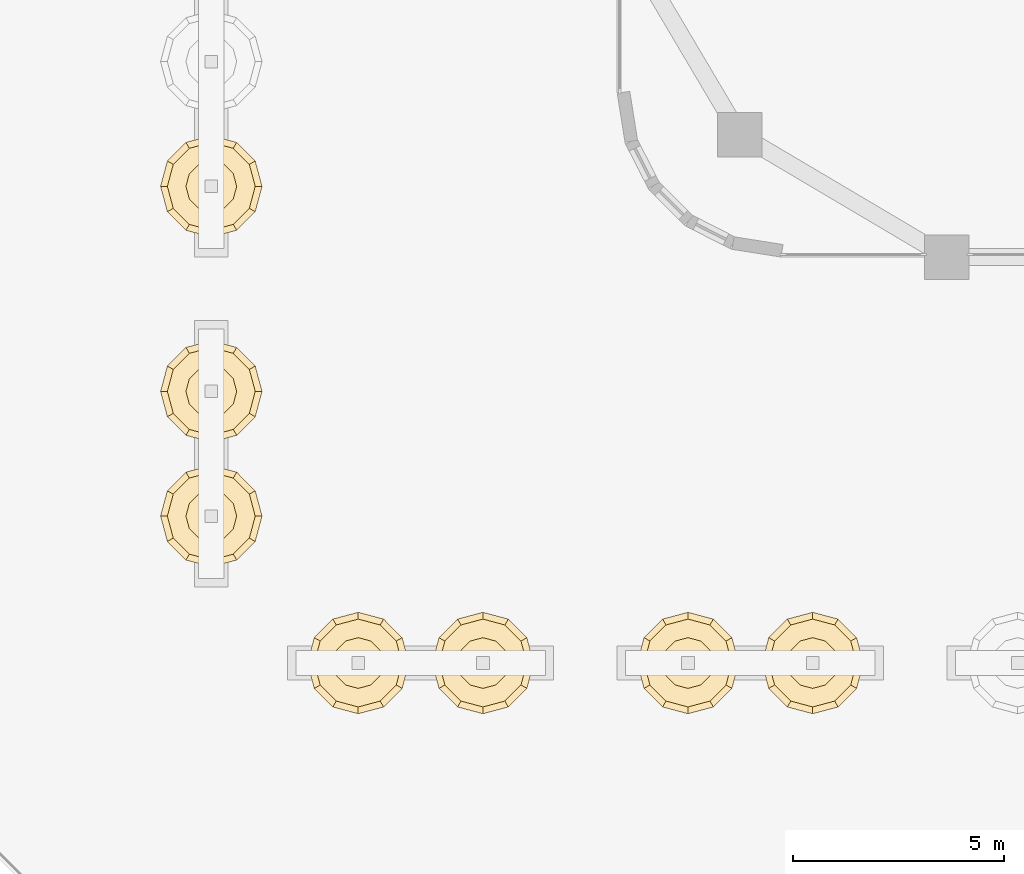
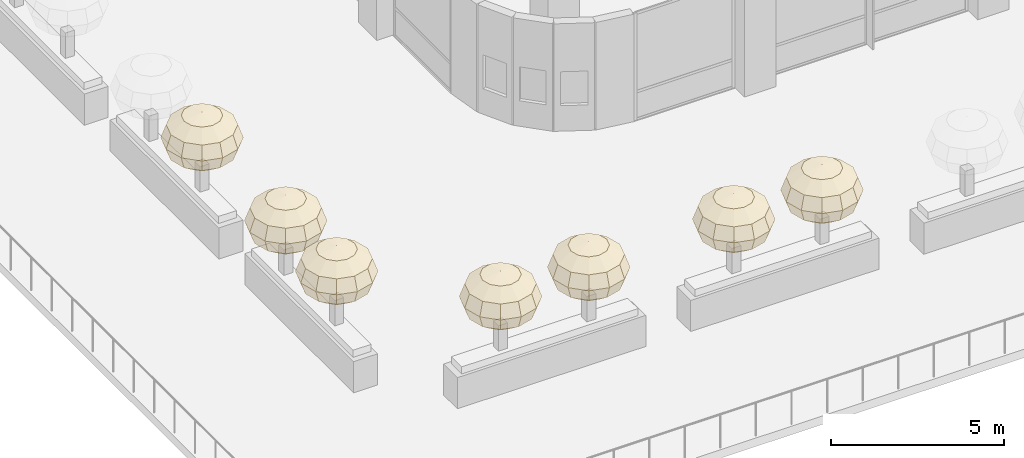
# One storey, part 26 of 31: 7 coverings.
"""IFC4 building model written with IfcOpenShell, lengths in metres."""

from ifc_helpers import new_model, si_unit, direction, frame, origin, place, context, subcontext, project, spatial, triangles, material, layer, layer_set, type_object, element, save


model = new_model("IFC4")

# Units and contexts
model_context = context("Model", 3, precision=1e-05, world=origin(), true_north=direction((0.0, 1.0)))
body_context = subcontext(model_context, "Body", "Model", "MODEL_VIEW")
ifc_project = project(units=[si_unit("LENGTHUNIT", "METRE"), si_unit("AREAUNIT", "SQUARE_METRE"), si_unit("VOLUMEUNIT", "CUBIC_METRE"), si_unit("PLANEANGLEUNIT", "RADIAN"), si_unit("MASSUNIT", "GRAM", prefix="KILO")], contexts=[model_context])

# Site, building, storey
site_placement = place(None, origin())
site = spatial("IfcSite", under=ifc_project, at=site_placement, CompositionType="ELEMENT")
building_placement = place(site_placement, origin())
building = spatial("IfcBuilding", under=site, at=building_placement, Name="Ludao Terraces", CompositionType="ELEMENT")
storey_placement = place(building_placement, frame((0.0, 0.0, 15.0)))
storey = spatial("IfcBuildingStorey", under=building, at=storey_placement, Name="L03", CompositionType="ELEMENT", Elevation=15.0)

# Coverings
ifc_material = material(Name="Planting")
ifc_layer = layer(ifc_material, 2.39990234375)
ifc_layer_set = layer_set([ifc_layer], Name="ENV Terrace tree crown 2400")
covering_type = type_object("IfcCoveringType", Name="ENV Terrace tree crown 2400", PredefinedType="USERDEFINED", material=ifc_layer_set)
covering_1_placement = place(storey_placement, frame((55.47509765625, 32.0, 3.14990234375)))
element("IfcCovering", 1, at=covering_1_placement, inside=storey, type_object=covering_type, Name="Terrace tree crown L03-T1.1", ObjectType="PLANTING", PredefinedType="USERDEFINED", context=body_context, shape_type="Tessellation", body=[
    triangles([(0.0, 0.0, 0.89990234375), (0.599853515625, 0.0, 0.779296875), (0.51953125, 0.300048828125, 0.779296875), (0.300048828125, 0.51953125, 0.779296875), (0.0, 0.599853515625, 0.779296875), (-0.300048828125, 0.51953125, 0.779296875), (-0.51953125, 0.300048828125, 0.779296875), (-0.599853515625, 0.0, 0.779296875), (-0.51953125, -0.300048828125, 0.779296875), (-0.300048828125, -0.51953125, 0.779296875), (0.0, -0.599853515625, 0.779296875), (0.300048828125, -0.51953125, 0.779296875), (0.51953125, -0.300048828125, 0.779296875), (1.039306640625, 0.0, 0.449951171875), (0.89990234375, 0.51953125, 0.449951171875), (0.51953125, 0.89990234375, 0.449951171875), (0.0, 1.039306640625, 0.449951171875), (-0.51953125, 0.89990234375, 0.449951171875), (-0.89990234375, 0.51953125, 0.449951171875), (-1.039306640625, 0.0, 0.449951171875), (-0.89990234375, -0.51953125, 0.449951171875), (-0.51953125, -0.89990234375, 0.449951171875), (0.0, -1.039306640625, 0.449951171875), (0.51953125, -0.89990234375, 0.449951171875), (0.89990234375, -0.51953125, 0.449951171875), (1.199951171875, 0.0, 0.0), (1.039306640625, 0.599853515625, 0.0), (0.60009765625, 1.039306640625, 0.0), (0.0, 1.199951171875, 0.0), (-0.599853515625, 1.039306640625, 0.0), (-1.039306640625, 0.599853515625, 0.0), (-1.199951171875, 0.0, 0.0), (-1.039306640625, -0.599853515625, 0.0), (-0.60009765625, -1.039306640625, 0.0), (0.0, -1.199951171875, 0.0), (0.60009765625, -1.039306640625, 0.0), (1.039306640625, -0.60009765625, 0.0), (1.039306640625, 0.0, -0.449951171875), (0.89990234375, 0.51953125, -0.449951171875), (0.51953125, 0.89990234375, -0.449951171875), (0.0, 1.039306640625, -0.449951171875), (-0.51953125, 0.89990234375, -0.449951171875), (-0.89990234375, 0.51953125, -0.449951171875), (-1.039306640625, 0.0, -0.449951171875), (-0.89990234375, -0.51953125, -0.449951171875), (-0.51953125, -0.89990234375, -0.449951171875), (0.0, -1.039306640625, -0.449951171875), (0.51953125, -0.89990234375, -0.449951171875), (0.89990234375, -0.51953125, -0.449951171875), (0.599853515625, 0.0, -0.779296875), (0.51953125, 0.300048828125, -0.779296875), (0.300048828125, 0.51953125, -0.779296875), (0.0, 0.599853515625, -0.779296875), (-0.300048828125, 0.51953125, -0.779296875), (-0.51953125, 0.300048828125, -0.779296875), (-0.599853515625, 0.0, -0.779296875), (-0.51953125, -0.300048828125, -0.779296875), (-0.300048828125, -0.51953125, -0.779296875), (0.0, -0.599853515625, -0.779296875), (0.300048828125, -0.51953125, -0.779296875), (0.51953125, -0.300048828125, -0.779296875), (0.0, 0.0, -0.89990234375)], [[1, 2, 3], [1, 3, 4], [1, 4, 5], [1, 5, 6], [1, 6, 7], [1, 7, 8], [1, 8, 9], [1, 9, 10], [1, 10, 11], [1, 11, 12], [1, 12, 13], [1, 13, 2], [2, 14, 15], [2, 15, 3], [3, 15, 16], [3, 16, 4], [4, 16, 17], [4, 17, 5], [5, 17, 18], [5, 18, 6], [6, 18, 19], [6, 19, 7], [7, 19, 20], [7, 20, 8], [8, 20, 21], [8, 21, 9], [9, 21, 22], [9, 22, 10], [10, 22, 23], [10, 23, 11], [11, 23, 24], [11, 24, 12], [12, 24, 25], [12, 25, 13], [13, 25, 14], [13, 14, 2], [14, 26, 27], [14, 27, 15], [15, 27, 28], [15, 28, 16], [16, 28, 29], [16, 29, 17], [17, 29, 30], [17, 30, 18], [18, 30, 31], [18, 31, 19], [19, 31, 32], [19, 32, 20], [20, 32, 33], [20, 33, 21], [21, 33, 34], [21, 34, 22], [22, 34, 35], [22, 35, 23], [23, 35, 36], [23, 36, 24], [24, 36, 37], [24, 37, 25], [25, 37, 26], [25, 26, 14], [26, 38, 39], [26, 39, 27], [27, 39, 40], [27, 40, 28], [28, 40, 41], [28, 41, 29], [29, 41, 42], [29, 42, 30], [30, 42, 43], [30, 43, 31], [31, 43, 44], [31, 44, 32], [32, 44, 45], [32, 45, 33], [33, 45, 46], [33, 46, 34], [34, 46, 47], [34, 47, 35], [35, 47, 48], [35, 48, 36], [36, 48, 49], [36, 49, 37], [37, 49, 38], [37, 38, 26], [38, 50, 51], [38, 51, 39], [39, 51, 52], [39, 52, 40], [40, 52, 53], [40, 53, 41], [41, 53, 54], [41, 54, 42], [42, 54, 55], [42, 55, 43], [43, 55, 56], [43, 56, 44], [44, 56, 57], [44, 57, 45], [45, 57, 58], [45, 58, 46], [46, 58, 59], [46, 59, 47], [47, 59, 60], [47, 60, 48], [48, 60, 61], [48, 61, 49], [49, 61, 50], [49, 50, 38], [62, 51, 50], [62, 52, 51], [62, 53, 52], [62, 54, 53], [62, 55, 54], [62, 56, 55], [62, 57, 56], [62, 58, 57], [62, 59, 58], [62, 60, 59], [62, 61, 60], [62, 50, 61]], closed=True),
])
covering_2_placement = place(storey_placement, frame((58.425048828125, 32.0, 3.14990234375)))
element("IfcCovering", 2, at=covering_2_placement, inside=storey, type_object=covering_type, Name="Terrace tree crown L03-T1.2", ObjectType="PLANTING", PredefinedType="USERDEFINED", context=body_context, shape_type="Tessellation", body=[
    triangles([(0.0, 0.0, 0.89990234375), (0.599853515625, 0.0, 0.779296875), (0.51953125, 0.300048828125, 0.779296875), (0.300048828125, 0.51953125, 0.779296875), (0.0, 0.599853515625, 0.779296875), (-0.300048828125, 0.51953125, 0.779296875), (-0.51953125, 0.300048828125, 0.779296875), (-0.599853515625, 0.0, 0.779296875), (-0.51953125, -0.300048828125, 0.779296875), (-0.300048828125, -0.51953125, 0.779296875), (0.0, -0.599853515625, 0.779296875), (0.300048828125, -0.51953125, 0.779296875), (0.51953125, -0.300048828125, 0.779296875), (1.039306640625, 0.0, 0.449951171875), (0.89990234375, 0.51953125, 0.449951171875), (0.51953125, 0.89990234375, 0.449951171875), (0.0, 1.039306640625, 0.449951171875), (-0.51953125, 0.89990234375, 0.449951171875), (-0.89990234375, 0.51953125, 0.449951171875), (-1.039306640625, 0.0, 0.449951171875), (-0.89990234375, -0.51953125, 0.449951171875), (-0.51953125, -0.89990234375, 0.449951171875), (0.0, -1.039306640625, 0.449951171875), (0.51953125, -0.89990234375, 0.449951171875), (0.89990234375, -0.51953125, 0.449951171875), (1.199951171875, 0.0, 0.0), (1.039306640625, 0.599853515625, 0.0), (0.60009765625, 1.039306640625, 0.0), (0.0, 1.199951171875, 0.0), (-0.599853515625, 1.039306640625, 0.0), (-1.039306640625, 0.599853515625, 0.0), (-1.199951171875, 0.0, 0.0), (-1.039306640625, -0.599853515625, 0.0), (-0.60009765625, -1.039306640625, 0.0), (0.0, -1.199951171875, 0.0), (0.60009765625, -1.039306640625, 0.0), (1.039306640625, -0.60009765625, 0.0), (1.039306640625, 0.0, -0.449951171875), (0.89990234375, 0.51953125, -0.449951171875), (0.51953125, 0.89990234375, -0.449951171875), (0.0, 1.039306640625, -0.449951171875), (-0.51953125, 0.89990234375, -0.449951171875), (-0.89990234375, 0.51953125, -0.449951171875), (-1.039306640625, 0.0, -0.449951171875), (-0.89990234375, -0.51953125, -0.449951171875), (-0.51953125, -0.89990234375, -0.449951171875), (0.0, -1.039306640625, -0.449951171875), (0.51953125, -0.89990234375, -0.449951171875), (0.89990234375, -0.51953125, -0.449951171875), (0.599853515625, 0.0, -0.779296875), (0.51953125, 0.300048828125, -0.779296875), (0.300048828125, 0.51953125, -0.779296875), (0.0, 0.599853515625, -0.779296875), (-0.300048828125, 0.51953125, -0.779296875), (-0.51953125, 0.300048828125, -0.779296875), (-0.599853515625, 0.0, -0.779296875), (-0.51953125, -0.300048828125, -0.779296875), (-0.300048828125, -0.51953125, -0.779296875), (0.0, -0.599853515625, -0.779296875), (0.300048828125, -0.51953125, -0.779296875), (0.51953125, -0.300048828125, -0.779296875), (0.0, 0.0, -0.89990234375)], [[1, 2, 3], [1, 3, 4], [1, 4, 5], [1, 5, 6], [1, 6, 7], [1, 7, 8], [1, 8, 9], [1, 9, 10], [1, 10, 11], [1, 11, 12], [1, 12, 13], [1, 13, 2], [2, 14, 15], [2, 15, 3], [3, 15, 16], [3, 16, 4], [4, 16, 17], [4, 17, 5], [5, 17, 18], [5, 18, 6], [6, 18, 19], [6, 19, 7], [7, 19, 20], [7, 20, 8], [8, 20, 21], [8, 21, 9], [9, 21, 22], [9, 22, 10], [10, 22, 23], [10, 23, 11], [11, 23, 24], [11, 24, 12], [12, 24, 25], [12, 25, 13], [13, 25, 14], [13, 14, 2], [14, 26, 27], [14, 27, 15], [15, 27, 28], [15, 28, 16], [16, 28, 29], [16, 29, 17], [17, 29, 30], [17, 30, 18], [18, 30, 31], [18, 31, 19], [19, 31, 32], [19, 32, 20], [20, 32, 33], [20, 33, 21], [21, 33, 34], [21, 34, 22], [22, 34, 35], [22, 35, 23], [23, 35, 36], [23, 36, 24], [24, 36, 37], [24, 37, 25], [25, 37, 26], [25, 26, 14], [26, 38, 39], [26, 39, 27], [27, 39, 40], [27, 40, 28], [28, 40, 41], [28, 41, 29], [29, 41, 42], [29, 42, 30], [30, 42, 43], [30, 43, 31], [31, 43, 44], [31, 44, 32], [32, 44, 45], [32, 45, 33], [33, 45, 46], [33, 46, 34], [34, 46, 47], [34, 47, 35], [35, 47, 48], [35, 48, 36], [36, 48, 49], [36, 49, 37], [37, 49, 38], [37, 38, 26], [38, 50, 51], [38, 51, 39], [39, 51, 52], [39, 52, 40], [40, 52, 53], [40, 53, 41], [41, 53, 54], [41, 54, 42], [42, 54, 55], [42, 55, 43], [43, 55, 56], [43, 56, 44], [44, 56, 57], [44, 57, 45], [45, 57, 58], [45, 58, 46], [46, 58, 59], [46, 59, 47], [47, 59, 60], [47, 60, 48], [48, 60, 61], [48, 61, 49], [49, 61, 50], [49, 50, 38], [62, 51, 50], [62, 52, 51], [62, 53, 52], [62, 54, 53], [62, 55, 54], [62, 56, 55], [62, 57, 56], [62, 58, 57], [62, 59, 58], [62, 60, 59], [62, 61, 60], [62, 50, 61]], closed=True),
])
covering_3_placement = place(storey_placement, frame((63.27490234375, 32.0, 3.14990234375)))
element("IfcCovering", 3, at=covering_3_placement, inside=storey, type_object=covering_type, Name="Terrace tree crown L03-T2.1", ObjectType="PLANTING", PredefinedType="USERDEFINED", context=body_context, shape_type="Tessellation", body=[
    triangles([(0.0, 0.0, 0.89990234375), (0.599853515625, 0.0, 0.779296875), (0.51953125, 0.300048828125, 0.779296875), (0.300048828125, 0.51953125, 0.779296875), (0.0, 0.599853515625, 0.779296875), (-0.300048828125, 0.51953125, 0.779296875), (-0.51953125, 0.300048828125, 0.779296875), (-0.599853515625, 0.0, 0.779296875), (-0.51953125, -0.300048828125, 0.779296875), (-0.300048828125, -0.51953125, 0.779296875), (0.0, -0.599853515625, 0.779296875), (0.300048828125, -0.51953125, 0.779296875), (0.51953125, -0.300048828125, 0.779296875), (1.039306640625, 0.0, 0.449951171875), (0.89990234375, 0.51953125, 0.449951171875), (0.51953125, 0.89990234375, 0.449951171875), (0.0, 1.039306640625, 0.449951171875), (-0.51953125, 0.89990234375, 0.449951171875), (-0.89990234375, 0.51953125, 0.449951171875), (-1.039306640625, 0.0, 0.449951171875), (-0.89990234375, -0.51953125, 0.449951171875), (-0.51953125, -0.89990234375, 0.449951171875), (0.0, -1.039306640625, 0.449951171875), (0.51953125, -0.89990234375, 0.449951171875), (0.89990234375, -0.51953125, 0.449951171875), (1.199951171875, 0.0, 0.0), (1.039306640625, 0.599853515625, 0.0), (0.60009765625, 1.039306640625, 0.0), (0.0, 1.199951171875, 0.0), (-0.599853515625, 1.039306640625, 0.0), (-1.039306640625, 0.599853515625, 0.0), (-1.199951171875, 0.0, 0.0), (-1.039306640625, -0.599853515625, 0.0), (-0.60009765625, -1.039306640625, 0.0), (0.0, -1.199951171875, 0.0), (0.60009765625, -1.039306640625, 0.0), (1.039306640625, -0.60009765625, 0.0), (1.039306640625, 0.0, -0.449951171875), (0.89990234375, 0.51953125, -0.449951171875), (0.51953125, 0.89990234375, -0.449951171875), (0.0, 1.039306640625, -0.449951171875), (-0.51953125, 0.89990234375, -0.449951171875), (-0.89990234375, 0.51953125, -0.449951171875), (-1.039306640625, 0.0, -0.449951171875), (-0.89990234375, -0.51953125, -0.449951171875), (-0.51953125, -0.89990234375, -0.449951171875), (0.0, -1.039306640625, -0.449951171875), (0.51953125, -0.89990234375, -0.449951171875), (0.89990234375, -0.51953125, -0.449951171875), (0.599853515625, 0.0, -0.779296875), (0.51953125, 0.300048828125, -0.779296875), (0.300048828125, 0.51953125, -0.779296875), (0.0, 0.599853515625, -0.779296875), (-0.300048828125, 0.51953125, -0.779296875), (-0.51953125, 0.300048828125, -0.779296875), (-0.599853515625, 0.0, -0.779296875), (-0.51953125, -0.300048828125, -0.779296875), (-0.300048828125, -0.51953125, -0.779296875), (0.0, -0.599853515625, -0.779296875), (0.300048828125, -0.51953125, -0.779296875), (0.51953125, -0.300048828125, -0.779296875), (0.0, 0.0, -0.89990234375)], [[1, 2, 3], [1, 3, 4], [1, 4, 5], [1, 5, 6], [1, 6, 7], [1, 7, 8], [1, 8, 9], [1, 9, 10], [1, 10, 11], [1, 11, 12], [1, 12, 13], [1, 13, 2], [2, 14, 15], [2, 15, 3], [3, 15, 16], [3, 16, 4], [4, 16, 17], [4, 17, 5], [5, 17, 18], [5, 18, 6], [6, 18, 19], [6, 19, 7], [7, 19, 20], [7, 20, 8], [8, 20, 21], [8, 21, 9], [9, 21, 22], [9, 22, 10], [10, 22, 23], [10, 23, 11], [11, 23, 24], [11, 24, 12], [12, 24, 25], [12, 25, 13], [13, 25, 14], [13, 14, 2], [14, 26, 27], [14, 27, 15], [15, 27, 28], [15, 28, 16], [16, 28, 29], [16, 29, 17], [17, 29, 30], [17, 30, 18], [18, 30, 31], [18, 31, 19], [19, 31, 32], [19, 32, 20], [20, 32, 33], [20, 33, 21], [21, 33, 34], [21, 34, 22], [22, 34, 35], [22, 35, 23], [23, 35, 36], [23, 36, 24], [24, 36, 37], [24, 37, 25], [25, 37, 26], [25, 26, 14], [26, 38, 39], [26, 39, 27], [27, 39, 40], [27, 40, 28], [28, 40, 41], [28, 41, 29], [29, 41, 42], [29, 42, 30], [30, 42, 43], [30, 43, 31], [31, 43, 44], [31, 44, 32], [32, 44, 45], [32, 45, 33], [33, 45, 46], [33, 46, 34], [34, 46, 47], [34, 47, 35], [35, 47, 48], [35, 48, 36], [36, 48, 49], [36, 49, 37], [37, 49, 38], [37, 38, 26], [38, 50, 51], [38, 51, 39], [39, 51, 52], [39, 52, 40], [40, 52, 53], [40, 53, 41], [41, 53, 54], [41, 54, 42], [42, 54, 55], [42, 55, 43], [43, 55, 56], [43, 56, 44], [44, 56, 57], [44, 57, 45], [45, 57, 58], [45, 58, 46], [46, 58, 59], [46, 59, 47], [47, 59, 60], [47, 60, 48], [48, 60, 61], [48, 61, 49], [49, 61, 50], [49, 50, 38], [62, 51, 50], [62, 52, 51], [62, 53, 52], [62, 54, 53], [62, 55, 54], [62, 56, 55], [62, 57, 56], [62, 58, 57], [62, 59, 58], [62, 60, 59], [62, 61, 60], [62, 50, 61]], closed=True),
])
covering_4_placement = place(storey_placement, frame((66.22509765625, 32.0, 3.14990234375)))
element("IfcCovering", 4, at=covering_4_placement, inside=storey, type_object=covering_type, Name="Terrace tree crown L03-T2.2", ObjectType="PLANTING", PredefinedType="USERDEFINED", context=body_context, shape_type="Tessellation", body=[
    triangles([(0.0, 0.0, 0.89990234375), (0.599853515625, 0.0, 0.779296875), (0.51953125, 0.300048828125, 0.779296875), (0.300048828125, 0.51953125, 0.779296875), (0.0, 0.599853515625, 0.779296875), (-0.300048828125, 0.51953125, 0.779296875), (-0.51953125, 0.300048828125, 0.779296875), (-0.599853515625, 0.0, 0.779296875), (-0.51953125, -0.300048828125, 0.779296875), (-0.300048828125, -0.51953125, 0.779296875), (0.0, -0.599853515625, 0.779296875), (0.300048828125, -0.51953125, 0.779296875), (0.51953125, -0.300048828125, 0.779296875), (1.039306640625, 0.0, 0.449951171875), (0.89990234375, 0.51953125, 0.449951171875), (0.51953125, 0.89990234375, 0.449951171875), (0.0, 1.039306640625, 0.449951171875), (-0.51953125, 0.89990234375, 0.449951171875), (-0.89990234375, 0.51953125, 0.449951171875), (-1.039306640625, 0.0, 0.449951171875), (-0.89990234375, -0.51953125, 0.449951171875), (-0.51953125, -0.89990234375, 0.449951171875), (0.0, -1.039306640625, 0.449951171875), (0.51953125, -0.89990234375, 0.449951171875), (0.89990234375, -0.51953125, 0.449951171875), (1.199951171875, 0.0, 0.0), (1.039306640625, 0.599853515625, 0.0), (0.60009765625, 1.039306640625, 0.0), (0.0, 1.199951171875, 0.0), (-0.599853515625, 1.039306640625, 0.0), (-1.039306640625, 0.599853515625, 0.0), (-1.199951171875, 0.0, 0.0), (-1.039306640625, -0.599853515625, 0.0), (-0.60009765625, -1.039306640625, 0.0), (0.0, -1.199951171875, 0.0), (0.60009765625, -1.039306640625, 0.0), (1.039306640625, -0.60009765625, 0.0), (1.039306640625, 0.0, -0.449951171875), (0.89990234375, 0.51953125, -0.449951171875), (0.51953125, 0.89990234375, -0.449951171875), (0.0, 1.039306640625, -0.449951171875), (-0.51953125, 0.89990234375, -0.449951171875), (-0.89990234375, 0.51953125, -0.449951171875), (-1.039306640625, 0.0, -0.449951171875), (-0.89990234375, -0.51953125, -0.449951171875), (-0.51953125, -0.89990234375, -0.449951171875), (0.0, -1.039306640625, -0.449951171875), (0.51953125, -0.89990234375, -0.449951171875), (0.89990234375, -0.51953125, -0.449951171875), (0.599853515625, 0.0, -0.779296875), (0.51953125, 0.300048828125, -0.779296875), (0.300048828125, 0.51953125, -0.779296875), (0.0, 0.599853515625, -0.779296875), (-0.300048828125, 0.51953125, -0.779296875), (-0.51953125, 0.300048828125, -0.779296875), (-0.599853515625, 0.0, -0.779296875), (-0.51953125, -0.300048828125, -0.779296875), (-0.300048828125, -0.51953125, -0.779296875), (0.0, -0.599853515625, -0.779296875), (0.300048828125, -0.51953125, -0.779296875), (0.51953125, -0.300048828125, -0.779296875), (0.0, 0.0, -0.89990234375)], [[1, 2, 3], [1, 3, 4], [1, 4, 5], [1, 5, 6], [1, 6, 7], [1, 7, 8], [1, 8, 9], [1, 9, 10], [1, 10, 11], [1, 11, 12], [1, 12, 13], [1, 13, 2], [2, 14, 15], [2, 15, 3], [3, 15, 16], [3, 16, 4], [4, 16, 17], [4, 17, 5], [5, 17, 18], [5, 18, 6], [6, 18, 19], [6, 19, 7], [7, 19, 20], [7, 20, 8], [8, 20, 21], [8, 21, 9], [9, 21, 22], [9, 22, 10], [10, 22, 23], [10, 23, 11], [11, 23, 24], [11, 24, 12], [12, 24, 25], [12, 25, 13], [13, 25, 14], [13, 14, 2], [14, 26, 27], [14, 27, 15], [15, 27, 28], [15, 28, 16], [16, 28, 29], [16, 29, 17], [17, 29, 30], [17, 30, 18], [18, 30, 31], [18, 31, 19], [19, 31, 32], [19, 32, 20], [20, 32, 33], [20, 33, 21], [21, 33, 34], [21, 34, 22], [22, 34, 35], [22, 35, 23], [23, 35, 36], [23, 36, 24], [24, 36, 37], [24, 37, 25], [25, 37, 26], [25, 26, 14], [26, 38, 39], [26, 39, 27], [27, 39, 40], [27, 40, 28], [28, 40, 41], [28, 41, 29], [29, 41, 42], [29, 42, 30], [30, 42, 43], [30, 43, 31], [31, 43, 44], [31, 44, 32], [32, 44, 45], [32, 45, 33], [33, 45, 46], [33, 46, 34], [34, 46, 47], [34, 47, 35], [35, 47, 48], [35, 48, 36], [36, 48, 49], [36, 49, 37], [37, 49, 38], [37, 38, 26], [38, 50, 51], [38, 51, 39], [39, 51, 52], [39, 52, 40], [40, 52, 53], [40, 53, 41], [41, 53, 54], [41, 54, 42], [42, 54, 55], [42, 55, 43], [43, 55, 56], [43, 56, 44], [44, 56, 57], [44, 57, 45], [45, 57, 58], [45, 58, 46], [46, 58, 59], [46, 59, 47], [47, 59, 60], [47, 60, 48], [48, 60, 61], [48, 61, 49], [49, 61, 50], [49, 50, 38], [62, 51, 50], [62, 52, 51], [62, 53, 52], [62, 54, 53], [62, 55, 54], [62, 56, 55], [62, 57, 56], [62, 58, 57], [62, 59, 58], [62, 60, 59], [62, 61, 60], [62, 50, 61]], closed=True),
])
covering_5_placement = place(storey_placement, frame((52.0, 35.47509765625, 3.14990234375)))
element("IfcCovering", 5, at=covering_5_placement, inside=storey, type_object=covering_type, Name="Terrace tree crown L03-T9.1", ObjectType="PLANTING", PredefinedType="USERDEFINED", context=body_context, shape_type="Tessellation", body=[
    triangles([(0.0, 0.0, 0.89990234375), (0.599853515625, 0.0, 0.779296875), (0.51953125, 0.300048828125, 0.779296875), (0.300048828125, 0.51953125, 0.779296875), (0.0, 0.599853515625, 0.779296875), (-0.300048828125, 0.51953125, 0.779296875), (-0.51953125, 0.300048828125, 0.779296875), (-0.599853515625, 0.0, 0.779296875), (-0.51953125, -0.300048828125, 0.779296875), (-0.300048828125, -0.51953125, 0.779296875), (0.0, -0.599853515625, 0.779296875), (0.300048828125, -0.51953125, 0.779296875), (0.51953125, -0.300048828125, 0.779296875), (1.039306640625, 0.0, 0.449951171875), (0.89990234375, 0.51953125, 0.449951171875), (0.51953125, 0.89990234375, 0.449951171875), (0.0, 1.039306640625, 0.449951171875), (-0.51953125, 0.89990234375, 0.449951171875), (-0.89990234375, 0.51953125, 0.449951171875), (-1.039306640625, 0.0, 0.449951171875), (-0.89990234375, -0.51953125, 0.449951171875), (-0.51953125, -0.89990234375, 0.449951171875), (0.0, -1.039306640625, 0.449951171875), (0.51953125, -0.89990234375, 0.449951171875), (0.89990234375, -0.51953125, 0.449951171875), (1.199951171875, 0.0, 0.0), (1.039306640625, 0.599853515625, 0.0), (0.60009765625, 1.039306640625, 0.0), (0.0, 1.199951171875, 0.0), (-0.599853515625, 1.039306640625, 0.0), (-1.039306640625, 0.599853515625, 0.0), (-1.199951171875, 0.0, 0.0), (-1.039306640625, -0.599853515625, 0.0), (-0.60009765625, -1.039306640625, 0.0), (0.0, -1.199951171875, 0.0), (0.60009765625, -1.039306640625, 0.0), (1.039306640625, -0.60009765625, 0.0), (1.039306640625, 0.0, -0.449951171875), (0.89990234375, 0.51953125, -0.449951171875), (0.51953125, 0.89990234375, -0.449951171875), (0.0, 1.039306640625, -0.449951171875), (-0.51953125, 0.89990234375, -0.449951171875), (-0.89990234375, 0.51953125, -0.449951171875), (-1.039306640625, 0.0, -0.449951171875), (-0.89990234375, -0.51953125, -0.449951171875), (-0.51953125, -0.89990234375, -0.449951171875), (0.0, -1.039306640625, -0.449951171875), (0.51953125, -0.89990234375, -0.449951171875), (0.89990234375, -0.51953125, -0.449951171875), (0.599853515625, 0.0, -0.779296875), (0.51953125, 0.300048828125, -0.779296875), (0.300048828125, 0.51953125, -0.779296875), (0.0, 0.599853515625, -0.779296875), (-0.300048828125, 0.51953125, -0.779296875), (-0.51953125, 0.300048828125, -0.779296875), (-0.599853515625, 0.0, -0.779296875), (-0.51953125, -0.300048828125, -0.779296875), (-0.300048828125, -0.51953125, -0.779296875), (0.0, -0.599853515625, -0.779296875), (0.300048828125, -0.51953125, -0.779296875), (0.51953125, -0.300048828125, -0.779296875), (0.0, 0.0, -0.89990234375)], [[1, 2, 3], [1, 3, 4], [1, 4, 5], [1, 5, 6], [1, 6, 7], [1, 7, 8], [1, 8, 9], [1, 9, 10], [1, 10, 11], [1, 11, 12], [1, 12, 13], [1, 13, 2], [2, 14, 15], [2, 15, 3], [3, 15, 16], [3, 16, 4], [4, 16, 17], [4, 17, 5], [5, 17, 18], [5, 18, 6], [6, 18, 19], [6, 19, 7], [7, 19, 20], [7, 20, 8], [8, 20, 21], [8, 21, 9], [9, 21, 22], [9, 22, 10], [10, 22, 23], [10, 23, 11], [11, 23, 24], [11, 24, 12], [12, 24, 25], [12, 25, 13], [13, 25, 14], [13, 14, 2], [14, 26, 27], [14, 27, 15], [15, 27, 28], [15, 28, 16], [16, 28, 29], [16, 29, 17], [17, 29, 30], [17, 30, 18], [18, 30, 31], [18, 31, 19], [19, 31, 32], [19, 32, 20], [20, 32, 33], [20, 33, 21], [21, 33, 34], [21, 34, 22], [22, 34, 35], [22, 35, 23], [23, 35, 36], [23, 36, 24], [24, 36, 37], [24, 37, 25], [25, 37, 26], [25, 26, 14], [26, 38, 39], [26, 39, 27], [27, 39, 40], [27, 40, 28], [28, 40, 41], [28, 41, 29], [29, 41, 42], [29, 42, 30], [30, 42, 43], [30, 43, 31], [31, 43, 44], [31, 44, 32], [32, 44, 45], [32, 45, 33], [33, 45, 46], [33, 46, 34], [34, 46, 47], [34, 47, 35], [35, 47, 48], [35, 48, 36], [36, 48, 49], [36, 49, 37], [37, 49, 38], [37, 38, 26], [38, 50, 51], [38, 51, 39], [39, 51, 52], [39, 52, 40], [40, 52, 53], [40, 53, 41], [41, 53, 54], [41, 54, 42], [42, 54, 55], [42, 55, 43], [43, 55, 56], [43, 56, 44], [44, 56, 57], [44, 57, 45], [45, 57, 58], [45, 58, 46], [46, 58, 59], [46, 59, 47], [47, 59, 60], [47, 60, 48], [48, 60, 61], [48, 61, 49], [49, 61, 50], [49, 50, 38], [62, 51, 50], [62, 52, 51], [62, 53, 52], [62, 54, 53], [62, 55, 54], [62, 56, 55], [62, 57, 56], [62, 58, 57], [62, 59, 58], [62, 60, 59], [62, 61, 60], [62, 50, 61]], closed=True),
])
covering_6_placement = place(storey_placement, frame((52.0, 38.425048828125, 3.14990234375)))
element("IfcCovering", 6, at=covering_6_placement, inside=storey, type_object=covering_type, Name="Terrace tree crown L03-T9.2", ObjectType="PLANTING", PredefinedType="USERDEFINED", context=body_context, shape_type="Tessellation", body=[
    triangles([(0.0, 0.0, 0.89990234375), (0.599853515625, 0.0, 0.779296875), (0.51953125, 0.300048828125, 0.779296875), (0.300048828125, 0.51953125, 0.779296875), (0.0, 0.599853515625, 0.779296875), (-0.300048828125, 0.51953125, 0.779296875), (-0.51953125, 0.300048828125, 0.779296875), (-0.599853515625, 0.0, 0.779296875), (-0.51953125, -0.300048828125, 0.779296875), (-0.300048828125, -0.51953125, 0.779296875), (0.0, -0.599853515625, 0.779296875), (0.300048828125, -0.51953125, 0.779296875), (0.51953125, -0.300048828125, 0.779296875), (1.039306640625, 0.0, 0.449951171875), (0.89990234375, 0.51953125, 0.449951171875), (0.51953125, 0.89990234375, 0.449951171875), (0.0, 1.039306640625, 0.449951171875), (-0.51953125, 0.89990234375, 0.449951171875), (-0.89990234375, 0.51953125, 0.449951171875), (-1.039306640625, 0.0, 0.449951171875), (-0.89990234375, -0.51953125, 0.449951171875), (-0.51953125, -0.89990234375, 0.449951171875), (0.0, -1.039306640625, 0.449951171875), (0.51953125, -0.89990234375, 0.449951171875), (0.89990234375, -0.51953125, 0.449951171875), (1.199951171875, 0.0, 0.0), (1.039306640625, 0.599853515625, 0.0), (0.60009765625, 1.039306640625, 0.0), (0.0, 1.199951171875, 0.0), (-0.599853515625, 1.039306640625, 0.0), (-1.039306640625, 0.599853515625, 0.0), (-1.199951171875, 0.0, 0.0), (-1.039306640625, -0.599853515625, 0.0), (-0.60009765625, -1.039306640625, 0.0), (0.0, -1.199951171875, 0.0), (0.60009765625, -1.039306640625, 0.0), (1.039306640625, -0.60009765625, 0.0), (1.039306640625, 0.0, -0.449951171875), (0.89990234375, 0.51953125, -0.449951171875), (0.51953125, 0.89990234375, -0.449951171875), (0.0, 1.039306640625, -0.449951171875), (-0.51953125, 0.89990234375, -0.449951171875), (-0.89990234375, 0.51953125, -0.449951171875), (-1.039306640625, 0.0, -0.449951171875), (-0.89990234375, -0.51953125, -0.449951171875), (-0.51953125, -0.89990234375, -0.449951171875), (0.0, -1.039306640625, -0.449951171875), (0.51953125, -0.89990234375, -0.449951171875), (0.89990234375, -0.51953125, -0.449951171875), (0.599853515625, 0.0, -0.779296875), (0.51953125, 0.300048828125, -0.779296875), (0.300048828125, 0.51953125, -0.779296875), (0.0, 0.599853515625, -0.779296875), (-0.300048828125, 0.51953125, -0.779296875), (-0.51953125, 0.300048828125, -0.779296875), (-0.599853515625, 0.0, -0.779296875), (-0.51953125, -0.300048828125, -0.779296875), (-0.300048828125, -0.51953125, -0.779296875), (0.0, -0.599853515625, -0.779296875), (0.300048828125, -0.51953125, -0.779296875), (0.51953125, -0.300048828125, -0.779296875), (0.0, 0.0, -0.89990234375)], [[1, 2, 3], [1, 3, 4], [1, 4, 5], [1, 5, 6], [1, 6, 7], [1, 7, 8], [1, 8, 9], [1, 9, 10], [1, 10, 11], [1, 11, 12], [1, 12, 13], [1, 13, 2], [2, 14, 15], [2, 15, 3], [3, 15, 16], [3, 16, 4], [4, 16, 17], [4, 17, 5], [5, 17, 18], [5, 18, 6], [6, 18, 19], [6, 19, 7], [7, 19, 20], [7, 20, 8], [8, 20, 21], [8, 21, 9], [9, 21, 22], [9, 22, 10], [10, 22, 23], [10, 23, 11], [11, 23, 24], [11, 24, 12], [12, 24, 25], [12, 25, 13], [13, 25, 14], [13, 14, 2], [14, 26, 27], [14, 27, 15], [15, 27, 28], [15, 28, 16], [16, 28, 29], [16, 29, 17], [17, 29, 30], [17, 30, 18], [18, 30, 31], [18, 31, 19], [19, 31, 32], [19, 32, 20], [20, 32, 33], [20, 33, 21], [21, 33, 34], [21, 34, 22], [22, 34, 35], [22, 35, 23], [23, 35, 36], [23, 36, 24], [24, 36, 37], [24, 37, 25], [25, 37, 26], [25, 26, 14], [26, 38, 39], [26, 39, 27], [27, 39, 40], [27, 40, 28], [28, 40, 41], [28, 41, 29], [29, 41, 42], [29, 42, 30], [30, 42, 43], [30, 43, 31], [31, 43, 44], [31, 44, 32], [32, 44, 45], [32, 45, 33], [33, 45, 46], [33, 46, 34], [34, 46, 47], [34, 47, 35], [35, 47, 48], [35, 48, 36], [36, 48, 49], [36, 49, 37], [37, 49, 38], [37, 38, 26], [38, 50, 51], [38, 51, 39], [39, 51, 52], [39, 52, 40], [40, 52, 53], [40, 53, 41], [41, 53, 54], [41, 54, 42], [42, 54, 55], [42, 55, 43], [43, 55, 56], [43, 56, 44], [44, 56, 57], [44, 57, 45], [45, 57, 58], [45, 58, 46], [46, 58, 59], [46, 59, 47], [47, 59, 60], [47, 60, 48], [48, 60, 61], [48, 61, 49], [49, 61, 50], [49, 50, 38], [62, 51, 50], [62, 52, 51], [62, 53, 52], [62, 54, 53], [62, 55, 54], [62, 56, 55], [62, 57, 56], [62, 58, 57], [62, 59, 58], [62, 60, 59], [62, 61, 60], [62, 50, 61]], closed=True),
])
covering_7_placement = place(storey_placement, frame((52.0, 43.27490234375, 3.14990234375)))
element("IfcCovering", 7, at=covering_7_placement, inside=storey, type_object=covering_type, Name="Terrace tree crown L03-T10.1", ObjectType="PLANTING", PredefinedType="USERDEFINED", context=body_context, shape_type="Tessellation", body=[
    triangles([(0.0, 0.0, 0.89990234375), (0.599853515625, 0.0, 0.779296875), (0.51953125, 0.300048828125, 0.779296875), (0.300048828125, 0.51953125, 0.779296875), (0.0, 0.599853515625, 0.779296875), (-0.300048828125, 0.51953125, 0.779296875), (-0.51953125, 0.300048828125, 0.779296875), (-0.599853515625, 0.0, 0.779296875), (-0.51953125, -0.300048828125, 0.779296875), (-0.300048828125, -0.51953125, 0.779296875), (0.0, -0.599853515625, 0.779296875), (0.300048828125, -0.51953125, 0.779296875), (0.51953125, -0.300048828125, 0.779296875), (1.039306640625, 0.0, 0.449951171875), (0.89990234375, 0.51953125, 0.449951171875), (0.51953125, 0.89990234375, 0.449951171875), (0.0, 1.039306640625, 0.449951171875), (-0.51953125, 0.89990234375, 0.449951171875), (-0.89990234375, 0.51953125, 0.449951171875), (-1.039306640625, 0.0, 0.449951171875), (-0.89990234375, -0.51953125, 0.449951171875), (-0.51953125, -0.89990234375, 0.449951171875), (0.0, -1.039306640625, 0.449951171875), (0.51953125, -0.89990234375, 0.449951171875), (0.89990234375, -0.51953125, 0.449951171875), (1.199951171875, 0.0, 0.0), (1.039306640625, 0.599853515625, 0.0), (0.60009765625, 1.039306640625, 0.0), (0.0, 1.199951171875, 0.0), (-0.599853515625, 1.039306640625, 0.0), (-1.039306640625, 0.599853515625, 0.0), (-1.199951171875, 0.0, 0.0), (-1.039306640625, -0.599853515625, 0.0), (-0.60009765625, -1.039306640625, 0.0), (0.0, -1.199951171875, 0.0), (0.60009765625, -1.039306640625, 0.0), (1.039306640625, -0.60009765625, 0.0), (1.039306640625, 0.0, -0.449951171875), (0.89990234375, 0.51953125, -0.449951171875), (0.51953125, 0.89990234375, -0.449951171875), (0.0, 1.039306640625, -0.449951171875), (-0.51953125, 0.89990234375, -0.449951171875), (-0.89990234375, 0.51953125, -0.449951171875), (-1.039306640625, 0.0, -0.449951171875), (-0.89990234375, -0.51953125, -0.449951171875), (-0.51953125, -0.89990234375, -0.449951171875), (0.0, -1.039306640625, -0.449951171875), (0.51953125, -0.89990234375, -0.449951171875), (0.89990234375, -0.51953125, -0.449951171875), (0.599853515625, 0.0, -0.779296875), (0.51953125, 0.300048828125, -0.779296875), (0.300048828125, 0.51953125, -0.779296875), (0.0, 0.599853515625, -0.779296875), (-0.300048828125, 0.51953125, -0.779296875), (-0.51953125, 0.300048828125, -0.779296875), (-0.599853515625, 0.0, -0.779296875), (-0.51953125, -0.300048828125, -0.779296875), (-0.300048828125, -0.51953125, -0.779296875), (0.0, -0.599853515625, -0.779296875), (0.300048828125, -0.51953125, -0.779296875), (0.51953125, -0.300048828125, -0.779296875), (0.0, 0.0, -0.89990234375)], [[1, 2, 3], [1, 3, 4], [1, 4, 5], [1, 5, 6], [1, 6, 7], [1, 7, 8], [1, 8, 9], [1, 9, 10], [1, 10, 11], [1, 11, 12], [1, 12, 13], [1, 13, 2], [2, 14, 15], [2, 15, 3], [3, 15, 16], [3, 16, 4], [4, 16, 17], [4, 17, 5], [5, 17, 18], [5, 18, 6], [6, 18, 19], [6, 19, 7], [7, 19, 20], [7, 20, 8], [8, 20, 21], [8, 21, 9], [9, 21, 22], [9, 22, 10], [10, 22, 23], [10, 23, 11], [11, 23, 24], [11, 24, 12], [12, 24, 25], [12, 25, 13], [13, 25, 14], [13, 14, 2], [14, 26, 27], [14, 27, 15], [15, 27, 28], [15, 28, 16], [16, 28, 29], [16, 29, 17], [17, 29, 30], [17, 30, 18], [18, 30, 31], [18, 31, 19], [19, 31, 32], [19, 32, 20], [20, 32, 33], [20, 33, 21], [21, 33, 34], [21, 34, 22], [22, 34, 35], [22, 35, 23], [23, 35, 36], [23, 36, 24], [24, 36, 37], [24, 37, 25], [25, 37, 26], [25, 26, 14], [26, 38, 39], [26, 39, 27], [27, 39, 40], [27, 40, 28], [28, 40, 41], [28, 41, 29], [29, 41, 42], [29, 42, 30], [30, 42, 43], [30, 43, 31], [31, 43, 44], [31, 44, 32], [32, 44, 45], [32, 45, 33], [33, 45, 46], [33, 46, 34], [34, 46, 47], [34, 47, 35], [35, 47, 48], [35, 48, 36], [36, 48, 49], [36, 49, 37], [37, 49, 38], [37, 38, 26], [38, 50, 51], [38, 51, 39], [39, 51, 52], [39, 52, 40], [40, 52, 53], [40, 53, 41], [41, 53, 54], [41, 54, 42], [42, 54, 55], [42, 55, 43], [43, 55, 56], [43, 56, 44], [44, 56, 57], [44, 57, 45], [45, 57, 58], [45, 58, 46], [46, 58, 59], [46, 59, 47], [47, 59, 60], [47, 60, 48], [48, 60, 61], [48, 61, 49], [49, 61, 50], [49, 50, 38], [62, 51, 50], [62, 52, 51], [62, 53, 52], [62, 54, 53], [62, 55, 54], [62, 56, 55], [62, 57, 56], [62, 58, 57], [62, 59, 58], [62, 60, 59], [62, 61, 60], [62, 50, 61]], closed=True),
])

save(model, "model.ifc")
